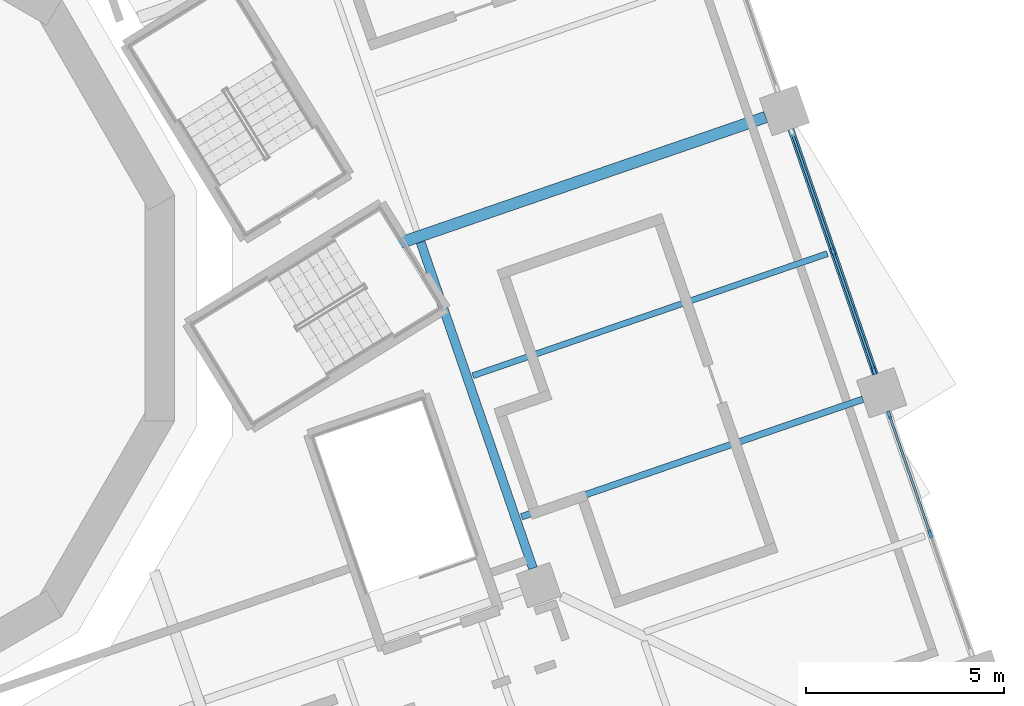
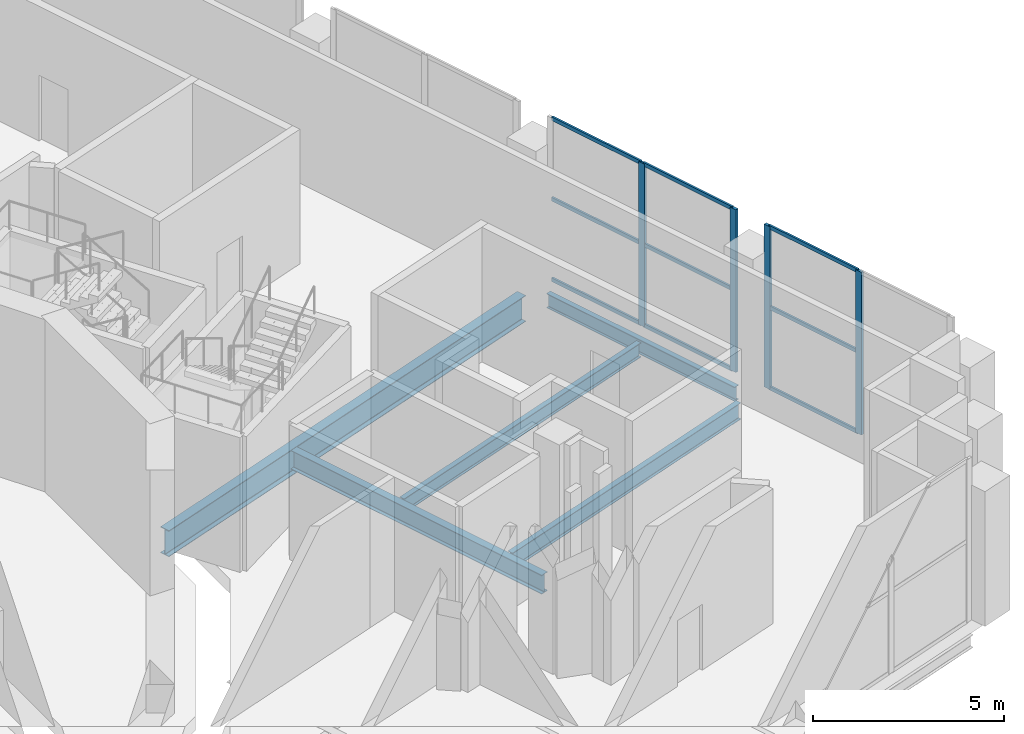
# One storey, part 5 of 20: 13 members, 5 beams, 2 elements without a shape of their own.
"""IFC4 building model written with IfcOpenShell, lengths in metres."""

from ifc_helpers import new_model, si_unit, direction, frame, origin, origin_2d, place, context, subcontext, project, spatial, rectangle, i_section, extrude, material, material_profile, profile_set, type_object, element, aggregate, save


model = new_model("IFC4")

# Units and contexts
model_context = context("Model", 3, precision=1e-05, world=origin(), true_north=direction((0.0, 1.0)))
body_context = subcontext(model_context, "Body", "Model", "MODEL_VIEW")
ifc_project = project(units=[si_unit("LENGTHUNIT", "METRE"), si_unit("AREAUNIT", "SQUARE_METRE"), si_unit("VOLUMEUNIT", "CUBIC_METRE"), si_unit("PLANEANGLEUNIT", "RADIAN"), si_unit("MASSUNIT", "GRAM", prefix="KILO")], contexts=[model_context])

# Site, building, storey
site_placement = place(None, origin())
site = spatial("IfcSite", under=ifc_project, at=site_placement, CompositionType="ELEMENT")
building_placement = place(site_placement, origin())
building = spatial("IfcBuilding", under=site, at=building_placement, Name="Cantera Rosa Tower", CompositionType="ELEMENT")
storey_placement = place(building_placement, frame((0.0, 0.0, 142.10009765625)))
storey = spatial("IfcBuildingStorey", under=building, at=storey_placement, Name="L30", CompositionType="ELEMENT", Elevation=142.10009765625)

# Curtain wall, members
ifc_material_1 = material(Name="Anodised aluminium louvre", Category="aluminium")
curtain_wall_type = type_object("IfcCurtainWallType", Name="CW3 REFUGE LOUVRE WALL", PredefinedType="NOTDEFINED", material=ifc_material_1)
curtain_wall_1_placement = place(storey_placement, origin())
curtain_wall_1 = element("IfcCurtainWall", 1, at=curtain_wall_1_placement, inside=storey, type_object=curtain_wall_type, Name="CW3 CW3", PredefinedType="NOTDEFINED")
ifc_material_2 = material(Name="Anodised bronze aluminium", Category="aluminium")
ifc_material_profile_1 = material_profile(ifc_material_2, rectangle(XDim=0.080078125, YDim=0.199951171875, at=origin_2d()), Name="CW-MULLION 80x200 REFUGE")
ifc_profile_set_1 = profile_set([ifc_material_profile_1], Name="Anodised bronze aluminium")
member_type_1 = type_object("IfcMemberType", Name="CW-MULLION 80x200 REFUGE", PredefinedType="MULLION", material=ifc_profile_set_1)
member_1_placement = place(storey_placement, frame((29.669189453125, -5.690673828125, 0.0), z_axis=(0.0, 0.0, 1.0), x_axis=(-0.945518575605, -0.325568154441, 0.0)))
member_1 = element("IfcMember", 2, at=member_1_placement, type_object=member_type_1, Name="CW3 mullion 2", PredefinedType="MULLION", context=body_context, shape_type="SweptSolid", body=[
    extrude(rectangle(XDim=0.080078125, YDim=0.199951171875, at=origin_2d()), origin(), (0.0, 0.0, 1.0), 5.199951171875),
])
member_2_placement = place(storey_placement, frame((28.636962890625, -2.693359375, 0.0), z_axis=(0.0, 0.0, 1.0), x_axis=(-0.945518575605, -0.325568154441, 0.0)))
member_2 = element("IfcMember", 3, at=member_2_placement, type_object=member_type_1, Name="CW3 mullion 3", PredefinedType="MULLION", context=body_context, shape_type="SweptSolid", body=[
    extrude(rectangle(XDim=0.080078125, YDim=0.199951171875, at=origin_2d()), origin(), (0.0, 0.0, 1.0), 5.199951171875),
])

curtain_wall_2_placement = place(storey_placement, origin())
curtain_wall_2 = element("IfcCurtainWall", 4, at=curtain_wall_2_placement, inside=storey, type_object=curtain_wall_type, Name="CW3 CW3", PredefinedType="NOTDEFINED")
member_3_placement = place(storey_placement, frame((28.2529296875, -1.57763671875, 0.0), z_axis=(0.0, 0.0, 1.0), x_axis=(-0.945518575594, -0.325568154474, 0.0)))
member_3 = element("IfcMember", 5, at=member_3_placement, type_object=member_type_1, Name="CW3 mullion 1", PredefinedType="MULLION", context=body_context, shape_type="SweptSolid", body=[
    extrude(rectangle(XDim=0.080078125, YDim=0.199951171875, at=origin_2d()), origin(), (0.0, 0.0, 1.0), 5.199951171875),
])
member_4_placement = place(storey_placement, frame((27.220947265625, 1.419677734375, 0.0), z_axis=(0.0, 0.0, 1.0), x_axis=(-0.945518575594, -0.325568154474, 0.0)))
member_4 = element("IfcMember", 6, at=member_4_placement, type_object=member_type_1, Name="CW3 mullion 2", PredefinedType="MULLION", context=body_context, shape_type="SweptSolid", body=[
    extrude(rectangle(XDim=0.080078125, YDim=0.199951171875, at=origin_2d()), origin(), (0.0, 0.0, 1.0), 5.199951171875),
])

# Member
ifc_material_3 = material(Name="Anodised bronze aluminium", Category="aluminium")
ifc_material_profile_2 = material_profile(ifc_material_3, rectangle(XDim=0.06005859375, YDim=0.1201171875, at=origin_2d()), Name="CW-TRANSOM 60x120 REFUGE")
ifc_profile_set_2 = profile_set([ifc_material_profile_2], Name="Anodised bronze aluminium")
member_type_2 = type_object("IfcMemberType", Name="CW-TRANSOM 60x120 REFUGE", PredefinedType="USERDEFINED", material=ifc_profile_set_2)
member_5_placement = place(storey_placement, frame((29.656005859375, -5.65283203125, 0.02978515625), z_axis=(-0.325527993713, 0.945532403098, 0.0), x_axis=(-0.945532403098, -0.325527993713, 0.0)))
member_5 = element("IfcMember", 7, at=member_5_placement, type_object=member_type_2, Name="CW3 transom 2.1", ObjectType="TRANSOM", PredefinedType="USERDEFINED", context=body_context, shape_type="SweptSolid", body=[
    extrude(rectangle(XDim=0.06005859375, YDim=0.1201171875, at=origin_2d()), origin(), (0.0, 0.0, 1.0), 3.08984375),
])

member_6_placement = place(storey_placement, frame((29.656005859375, -5.65283203125, 2.599853515625), z_axis=(-0.325527993713, 0.945532403098, 0.0), x_axis=(-0.945532403098, -0.325527993713, 0.0)))
member_6 = element("IfcMember", 8, at=member_6_placement, type_object=member_type_2, Name="CW3 transom 2.2", ObjectType="TRANSOM", PredefinedType="USERDEFINED", context=body_context, shape_type="SweptSolid", body=[
    extrude(rectangle(XDim=0.06005859375, YDim=0.1201171875, at=origin_2d()), origin(), (0.0, 0.0, 1.0), 3.08984375),
])

member_7_placement = place(storey_placement, frame((29.656005859375, -5.65283203125, 5.169921875), z_axis=(-0.325527993713, 0.945532403098, 0.0), x_axis=(-0.945532403098, -0.325527993713, 0.0)))
member_7 = element("IfcMember", 9, at=member_7_placement, type_object=member_type_2, Name="CW3 transom 2.3", ObjectType="TRANSOM", PredefinedType="USERDEFINED", context=body_context, shape_type="SweptSolid", body=[
    extrude(rectangle(XDim=0.06005859375, YDim=0.1201171875, at=origin_2d()), origin(), (0.0, 0.0, 1.0), 3.08984375),
])

aggregate(curtain_wall_1, [member_1, member_2, member_5, member_6, member_7])

member_8_placement = place(storey_placement, frame((28.239990234375, -1.539794921875, 0.02978515625), z_axis=(-0.325598629893, 0.945508081516, 0.0), x_axis=(-0.945508081516, -0.325598629893, 0.0)))
member_8 = element("IfcMember", 10, at=member_8_placement, type_object=member_type_2, Name="CW3 transom 1.1", ObjectType="TRANSOM", PredefinedType="USERDEFINED", context=body_context, shape_type="SweptSolid", body=[
    extrude(rectangle(XDim=0.06005859375, YDim=0.1201171875, at=origin_2d()), origin(), (0.0, 0.0, 1.0), 3.090087890625),
])

member_9_placement = place(storey_placement, frame((28.239990234375, -1.539794921875, 2.599853515625), z_axis=(-0.325598629893, 0.945508081516, 0.0), x_axis=(-0.945508081516, -0.325598629893, 0.0)))
member_9 = element("IfcMember", 11, at=member_9_placement, type_object=member_type_2, Name="CW3 transom 1.2", ObjectType="TRANSOM", PredefinedType="USERDEFINED", context=body_context, shape_type="SweptSolid", body=[
    extrude(rectangle(XDim=0.06005859375, YDim=0.1201171875, at=origin_2d()), origin(), (0.0, 0.0, 1.0), 3.090087890625),
])

member_10_placement = place(storey_placement, frame((28.239990234375, -1.539794921875, 5.169921875), z_axis=(-0.325598629893, 0.945508081516, 0.0), x_axis=(-0.945508081516, -0.325598629893, 0.0)))
member_10 = element("IfcMember", 12, at=member_10_placement, type_object=member_type_2, Name="CW3 transom 1.3", ObjectType="TRANSOM", PredefinedType="USERDEFINED", context=body_context, shape_type="SweptSolid", body=[
    extrude(rectangle(XDim=0.06005859375, YDim=0.1201171875, at=origin_2d()), origin(), (0.0, 0.0, 1.0), 3.090087890625),
])

member_11_placement = place(storey_placement, frame((27.207763671875, 1.45751953125, 0.02978515625), z_axis=(-0.325527993713, 0.945532403098, 0.0), x_axis=(-0.945532403098, -0.325527993713, 0.0)))
member_11 = element("IfcMember", 13, at=member_11_placement, type_object=member_type_2, Name="CW3 transom 2.1", ObjectType="TRANSOM", PredefinedType="USERDEFINED", context=body_context, shape_type="SweptSolid", body=[
    extrude(rectangle(XDim=0.06005859375, YDim=0.1201171875, at=origin_2d()), origin(), (0.0, 0.0, 1.0), 3.08984375),
])

member_12_placement = place(storey_placement, frame((27.207763671875, 1.45751953125, 2.599853515625), z_axis=(-0.325527993713, 0.945532403098, 0.0), x_axis=(-0.945532403098, -0.325527993713, 0.0)))
member_12 = element("IfcMember", 14, at=member_12_placement, type_object=member_type_2, Name="CW3 transom 2.2", ObjectType="TRANSOM", PredefinedType="USERDEFINED", context=body_context, shape_type="SweptSolid", body=[
    extrude(rectangle(XDim=0.06005859375, YDim=0.1201171875, at=origin_2d()), origin(), (0.0, 0.0, 1.0), 3.08984375),
])

member_13_placement = place(storey_placement, frame((27.207763671875, 1.45751953125, 5.169921875), z_axis=(-0.325527993713, 0.945532403098, 0.0), x_axis=(-0.945532403098, -0.325527993713, 0.0)))
member_13 = element("IfcMember", 15, at=member_13_placement, type_object=member_type_2, Name="CW3 transom 2.3", ObjectType="TRANSOM", PredefinedType="USERDEFINED", context=body_context, shape_type="SweptSolid", body=[
    extrude(rectangle(XDim=0.06005859375, YDim=0.1201171875, at=origin_2d()), origin(), (0.0, 0.0, 1.0), 3.08984375),
])

aggregate(curtain_wall_2, [member_3, member_4, member_8, member_9, member_10, member_11, member_12, member_13])

# Beams
ifc_material_4 = material(Name="Steel ASTM A992 (Fy 345 MPa)", Category="steel")
ifc_material_profile_3 = material_profile(ifc_material_4, i_section(OverallWidth=0.166015625, OverallDepth=0.528076171875, WebThickness=0.009765625, FlangeThickness=0.013671875, FilletRadius=0.0126953125, at=origin_2d()), Name="W530X74")
ifc_profile_set_3 = profile_set([ifc_material_profile_3], Name="Steel ASTM A992 (Fy 345 MPa)")
beam_type_1 = type_object("IfcBeamType", Name="STEEL BEAM W530X74", PredefinedType="BEAM", material=ifc_profile_set_3)
beam_1_placement = place(storey_placement, frame((27.97216796875, -2.29833984375, -0.714111328125), z_axis=(-0.94551971591, -0.325564842737, 0.0), x_axis=(0.325564842737, -0.94551971591, 0.0)))
element("IfcBeam", 16, at=beam_1_placement, inside=storey, type_object=beam_type_1, Name="G-Z2-01 L30", PredefinedType="BEAM", context=body_context, shape_type="SweptSolid", body=[
    extrude(i_section(OverallWidth=0.166015625, OverallDepth=0.528076171875, WebThickness=0.009765625, FlangeThickness=0.013671875, FilletRadius=0.0126953125, at=origin_2d()), origin(), (0.0, 0.0, 1.0), 9.10009765625),
])
ifc_material_5 = material(Name="Steel ASTM A992 (Fy 345 MPa)", Category="steel")
ifc_material_profile_4 = material_profile(ifc_material_5, i_section(OverallWidth=0.22802734375, OverallDepth=0.60205078125, WebThickness=0.010498046875, FlangeThickness=0.014892578125, FilletRadius=0.0126953125, at=origin_2d()), Name="W610X101")
ifc_profile_set_4 = profile_set([ifc_material_profile_4], Name="Steel ASTM A992 (Fy 345 MPa)")
beam_type_2 = type_object("IfcBeamType", Name="STEEL BEAM W610X101", PredefinedType="BEAM", material=ifc_profile_set_4)
beam_2_placement = place(storey_placement, frame((19.656005859375, -6.557861328125, -0.7509765625), z_axis=(-0.325584584945, 0.945512917969, 0.0), x_axis=(-0.945512917969, -0.325584584945, 0.0)))
element("IfcBeam", 17, at=beam_2_placement, inside=storey, type_object=beam_type_2, Name="RB-Z2-09 L30", PredefinedType="BEAM", context=body_context, shape_type="SweptSolid", body=[
    extrude(i_section(OverallWidth=0.22802734375, OverallDepth=0.60205078125, WebThickness=0.010498046875, FlangeThickness=0.014892578125, FilletRadius=0.0126953125, at=origin_2d()), origin(), (0.0, 0.0, 1.0), 8.68994140625),
])
ifc_material_6 = material(Name="Steel ASTM A992 (Fy 345 MPa)", Category="steel")
ifc_material_profile_5 = material_profile(ifc_material_6, i_section(OverallWidth=0.2919921875, OverallDepth=0.8359375, WebThickness=0.013916015625, FlangeThickness=0.018798828125, FilletRadius=0.017822265625, at=origin_2d()), Name="W840X176")
ifc_profile_set_5 = profile_set([ifc_material_profile_5], Name="Steel ASTM A992 (Fy 345 MPa)")
beam_type_3 = type_object("IfcBeamType", Name="STEEL BEAM W840X176", PredefinedType="BEAM", material=ifc_profile_set_5)
beam_3_placement = place(storey_placement, frame((25.52392578125, 4.81201171875, -0.8681640625), z_axis=(-0.945515154884, -0.325578088765, 0.0), x_axis=(0.325578088765, -0.945515154884, 0.0)))
element("IfcBeam", 18, at=beam_3_placement, inside=storey, type_object=beam_type_3, Name="G-Z2-02 L30", PredefinedType="BEAM", context=body_context, shape_type="SweptSolid", body=[
    extrude(i_section(OverallWidth=0.2919921875, OverallDepth=0.8359375, WebThickness=0.013916015625, FlangeThickness=0.018798828125, FilletRadius=0.017822265625, at=origin_2d()), origin(), (0.0, 0.0, 1.0), 14.22509765625),
])
ifc_material_7 = material(Name="Steel ASTM A992 (Fy 345 MPa)", Category="steel")
ifc_material_profile_6 = material_profile(ifc_material_7, i_section(OverallWidth=0.154052734375, OverallDepth=0.4599609375, WebThickness=0.009033203125, FlangeThickness=0.015380859375, FilletRadius=0.01025390625, at=origin_2d()), Name="W460X68")
ifc_profile_set_6 = profile_set([ifc_material_profile_6], Name="Steel ASTM A992 (Fy 345 MPa)")
beam_type_4 = type_object("IfcBeamType", Name="STEEL JOIST W460X68", PredefinedType="JOIST", material=ifc_profile_set_6)
beam_4_placement = place(storey_placement, frame((27.0791015625, 1.370849609375, -0.68017578125), z_axis=(-0.945518943957, -0.325567084667, 0.0), x_axis=(0.325567084667, -0.945518943957, 0.0)))
element("IfcBeam", 19, at=beam_4_placement, inside=storey, type_object=beam_type_4, Name="B-Z2-02 L30", PredefinedType="JOIST", context=body_context, shape_type="SweptSolid", body=[
    extrude(i_section(OverallWidth=0.154052734375, OverallDepth=0.4599609375, WebThickness=0.009033203125, FlangeThickness=0.015380859375, FilletRadius=0.01025390625, at=origin_2d()), origin(), (0.0, 0.0, 1.0), 9.4501953125),
])
ifc_material_8 = material(Name="Steel ASTM A992 (Fy 345 MPa)", Category="steel")
ifc_material_profile_7 = material_profile(ifc_material_8, i_section(OverallWidth=0.154052734375, OverallDepth=0.4599609375, WebThickness=0.009033203125, FlangeThickness=0.015380859375, FilletRadius=0.01025390625, at=origin_2d()), Name="W460X68")
ifc_profile_set_7 = profile_set([ifc_material_profile_7], Name="Steel ASTM A992 (Fy 345 MPa)")
beam_type_5 = type_object("IfcBeamType", Name="STEEL SPANDREL BEAM W460X68", PredefinedType="SPANDREL", material=ifc_profile_set_7)
beam_5_placement = place(storey_placement, frame((28.2822265625, -1.662841796875, -0.68017578125), z_axis=(-0.325580990241, 0.945514155787, 0.0), x_axis=(-0.945514155787, -0.325580990241, 0.0)))
element("IfcBeam", 20, at=beam_5_placement, inside=storey, type_object=beam_type_5, Name="EB-Z2-02 L30", PredefinedType="SPANDREL", context=body_context, shape_type="SweptSolid", body=[
    extrude(i_section(OverallWidth=0.154052734375, OverallDepth=0.4599609375, WebThickness=0.009033203125, FlangeThickness=0.015380859375, FilletRadius=0.01025390625, at=origin_2d()), origin(), (0.0, 0.0, 1.0), 6.52001953125),
])

save(model, "model.ifc")
